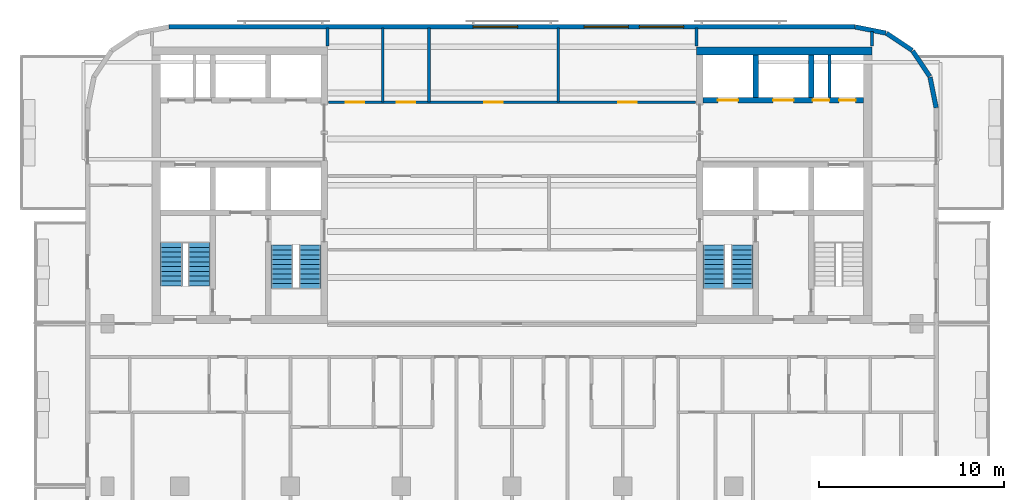
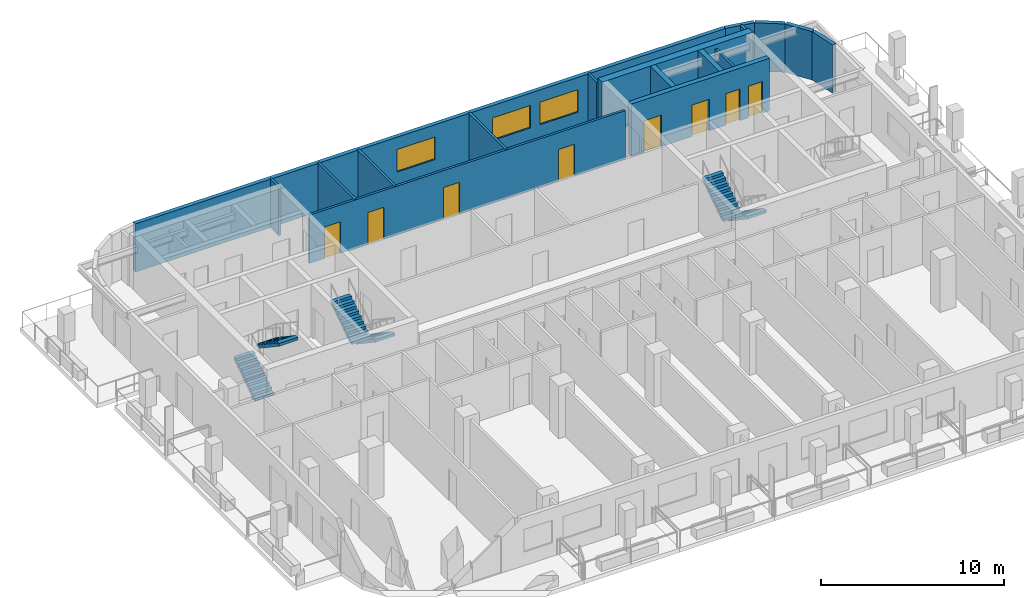
# One storey, part 7 of 11: 17 walls, 8 doors, 6 stair flights, 3 windows, 11 openings, 3 elements without a shape of their own.
"""IFC4 building model written with IfcOpenShell, lengths in metres."""

from ifc_helpers import new_model, si_unit, direction, frame, frame_2d, origin, place, context, subcontext, project, spatial, polyline, rectangle, outline, extrude, material, layer, layer_set, type_object, element, fill, aggregate, save


model = new_model("IFC4")

# Units and contexts
model_context = context("Model", 3, precision=1e-05, world=origin(), true_north=direction((0.0, 1.0)))
body_context = subcontext(model_context, "Body", "Model", "MODEL_VIEW")
ifc_project = project(units=[si_unit("LENGTHUNIT", "METRE"), si_unit("AREAUNIT", "SQUARE_METRE"), si_unit("VOLUMEUNIT", "CUBIC_METRE"), si_unit("PLANEANGLEUNIT", "RADIAN"), si_unit("MASSUNIT", "GRAM", prefix="KILO")], contexts=[model_context])

# Site, building, storey
site_placement = place(None, origin())
site = spatial("IfcSite", under=ifc_project, at=site_placement, CompositionType="ELEMENT")
building_placement = place(site_placement, origin())
building = spatial("IfcBuilding", under=site, at=building_placement, Name="Torana Hotel and Residences", CompositionType="ELEMENT")
storey_placement = place(building_placement, frame((0.0, 0.0, 259.60009765625)))
storey = spatial("IfcBuildingStorey", under=building, at=storey_placement, Name="L68", CompositionType="ELEMENT", Elevation=259.60009765625)

# Wall, openings, doors
ifc_material_1 = material(Name="Concrete C60/75", Category="concrete")
ifc_layer_1 = layer(ifc_material_1, 0.300048828125)
ifc_layer_set_1 = layer_set([ifc_layer_1], Name="CORE WALL 300 C60/75")
wall_type_1 = type_object("IfcWallType", Name="CORE WALL 300 C60/75", PredefinedType="SHEAR", material=ifc_layer_set_1)
wall_1_placement = place(storey_placement, frame((10.35009765625, -2.89990234375, 0.0), z_axis=(0.0, 0.0, 1.0), x_axis=(1.0, 0.0, 0.0)))
wall_1 = element("IfcWall", 1, at=wall_1_placement, inside=storey, type_object=wall_type_1, Name="Core wall E row-N", PredefinedType="SHEAR", context=body_context, shape_type="SweptSolid", body=[
    extrude(rectangle(XDim=8.699951171875, YDim=0.300048828125, at=frame_2d((4.35009765625, 0.0))), origin(), (0.0, 0.0, 1.0), 3.5),
])
opening_1_placement = place(wall_1_placement, frame((0.800048828125, 0.0, 0.0)))
opening_1 = element("IfcOpeningElement", 2, at=opening_1_placement, cuts=wall_1, Name="Opening LD", PredefinedType="OPENING", context=body_context, shape_type="SweptSolid", body=[
    extrude(rectangle(XDim=1.10009765625, YDim=2.10009765625, at=frame_2d((0.550048828125, 1.050048828125))), frame((0.0, 0.159912109375, 0.0), z_axis=(0.0, -1.0, 0.0), x_axis=(1.0, 0.0, 0.0)), (0.0, 0.0, 1.0), 0.320068359375),
])
opening_2_placement = place(wall_1_placement, frame((3.800048828125, 0.0, 0.0)))
opening_2 = element("IfcOpeningElement", 3, at=opening_2_placement, cuts=wall_1, Name="Opening LD", PredefinedType="OPENING", context=body_context, shape_type="SweptSolid", body=[
    extrude(rectangle(XDim=1.10009765625, YDim=2.10009765625, at=frame_2d((0.550048828125, 1.050048828125))), frame((0.0, 0.159912109375, 0.0), z_axis=(0.0, -1.0, 0.0), x_axis=(1.0, 0.0, 0.0)), (0.0, 0.0, 1.0), 0.320068359375),
])
opening_3_placement = place(wall_1_placement, frame((5.9375, 0.0, 0.0)))
opening_3 = element("IfcOpeningElement", 4, at=opening_3_placement, cuts=wall_1, Name="Opening L68-15", PredefinedType="OPENING", context=body_context, shape_type="SweptSolid", body=[
    extrude(rectangle(XDim=0.89990234375, YDim=2.10009765625, at=frame_2d((0.449951171875, 1.050048828125))), frame((0.0, 0.159912109375, 0.0), z_axis=(0.0, -1.0, 0.0), x_axis=(1.0, 0.0, 0.0)), (0.0, 0.0, 1.0), 0.320068359375),
])
opening_4_placement = place(wall_1_placement, frame((7.362548828125, 0.0, 0.0)))
opening_4 = element("IfcOpeningElement", 5, at=opening_4_placement, cuts=wall_1, Name="Opening L68-16", PredefinedType="OPENING", context=body_context, shape_type="SweptSolid", body=[
    extrude(rectangle(XDim=0.89990234375, YDim=2.10009765625, at=frame_2d((0.449951171875, 1.050048828125))), frame((0.0, 0.159912109375, 0.0), z_axis=(0.0, -1.0, 0.0), x_axis=(1.0, 0.0, 0.0)), (0.0, 0.0, 1.0), 0.320068359375),
])
ifc_material_2 = material(Name="Stainless steel 316", Category="steel")
door_type_1 = type_object("IfcDoorType", Name="LIFT LANDING DOOR LD 1100x2100", OperationType="DOUBLE_DOOR_SLIDING", PredefinedType="USERDEFINED", material=ifc_material_2)
door_1_placement = place(opening_1_placement, origin())
door_1 = element("IfcDoor", 6, at=door_1_placement, inside=storey, type_object=door_type_1, Name="Lift landing door H3 L68", ObjectType="LIFT LANDING DOOR", OperationType="DOUBLE_DOOR_SLIDING", OverallHeight=2.10009765625, OverallWidth=1.10009765625, PredefinedType="USERDEFINED", context=body_context, shape_type="SweptSolid", body=[
    extrude(rectangle(XDim=1.10009765625, YDim=2.10009765625, at=frame_2d((0.550048828125, 1.050048828125))), frame((0.0, 0.02490234375, 0.0), z_axis=(0.0, -1.0, 0.0), x_axis=(1.0, 0.0, 0.0)), (0.0, 0.0, 1.0), 0.050048828125),
])
fill(opening_1, door_1)
door_2_placement = place(opening_2_placement, origin())
door_2 = element("IfcDoor", 7, at=door_2_placement, inside=storey, type_object=door_type_1, Name="Lift landing door H4 L68", ObjectType="LIFT LANDING DOOR", OperationType="DOUBLE_DOOR_SLIDING", OverallHeight=2.10009765625, OverallWidth=1.10009765625, PredefinedType="USERDEFINED", context=body_context, shape_type="SweptSolid", body=[
    extrude(rectangle(XDim=1.10009765625, YDim=2.10009765625, at=frame_2d((0.550048828125, 1.050048828125))), frame((0.0, 0.02490234375, 0.0), z_axis=(0.0, -1.0, 0.0), x_axis=(1.0, 0.0, 0.0)), (0.0, 0.0, 1.0), 0.050048828125),
])
fill(opening_2, door_2)
ifc_material_3 = material(Name="Steel S235", Category="steel")
door_type_2 = type_object("IfcDoorType", Name="RISER ACCESS DOOR D5 900x2100", OperationType="SINGLE_SWING_LEFT", PredefinedType="DOOR", material=ifc_material_3)
door_3_placement = place(opening_3_placement, origin())
door_3 = element("IfcDoor", 8, at=door_3_placement, inside=storey, type_object=door_type_2, Name="N2A door L68", OperationType="SINGLE_SWING_RIGHT", OverallHeight=2.10009765625, OverallWidth=0.89990234375, PredefinedType="DOOR", context=body_context, shape_type="SweptSolid", body=[
    extrude(rectangle(XDim=0.89990234375, YDim=2.10009765625, at=frame_2d((0.449951171875, 1.050048828125))), frame((0.0, 0.02490234375, 0.0), z_axis=(0.0, -1.0, 0.0), x_axis=(1.0, 0.0, 0.0)), (0.0, 0.0, 1.0), 0.050048828125),
])
fill(opening_3, door_3)
door_4_placement = place(opening_4_placement, origin())
door_4 = element("IfcDoor", 9, at=door_4_placement, inside=storey, type_object=door_type_2, Name="N2B door L68", OperationType="SINGLE_SWING_RIGHT", OverallHeight=2.10009765625, OverallWidth=0.89990234375, PredefinedType="DOOR", context=body_context, shape_type="SweptSolid", body=[
    extrude(rectangle(XDim=0.89990234375, YDim=2.10009765625, at=frame_2d((0.449951171875, 1.050048828125))), frame((0.0, 0.02490234375, 0.0), z_axis=(0.0, -1.0, 0.0), x_axis=(1.0, 0.0, 0.0)), (0.0, 0.0, 1.0), 0.050048828125),
])
fill(opening_4, door_4)

# Walls
for number, where, z_axis, x_axis, name in (
    (10, (13.199951171875, -2.75, 0.0), (0.0, 0.0, 1.0), (0.0, 1.0, 0.0), "Core wall E x3.05-N"),
    (11, (16.199951171875, -2.75, 0.0), (0.0, 0.0, 1.0), (0.0, 1.0, 0.0), "Core wall E x6.05-N"),
):
    element("IfcWall", number, at=place(storey_placement, frame(where, z_axis=z_axis, x_axis=x_axis)), inside=storey, type_object=wall_type_1, Name=name, PredefinedType="SHEAR", context=body_context, shape_type="SweptSolid", body=[
        extrude(rectangle(XDim=2.300048828125, YDim=0.300048828125, at=frame_2d((1.14990234375, 0.0))), origin(), (0.0, 0.0, 1.0), 3.5),
    ])
ifc_material_4 = material(Name="Concrete C60/75", Category="concrete")
ifc_layer_2 = layer(ifc_material_4, 0.449951171875)
ifc_layer_set_2 = layer_set([ifc_layer_2], Name="CORE WALL 450 C60/75")
wall_type_2 = type_object("IfcWallType", Name="CORE WALL 450 C60/75", PredefinedType="SHEAR", material=ifc_layer_set_2)
wall_2_placement = place(storey_placement, frame((10.0, -0.22509765625, 0.0), z_axis=(0.0, 0.0, 1.0), x_axis=(1.0, 0.0, 0.0)))
element("IfcWall", 12, at=wall_2_placement, inside=storey, type_object=wall_type_2, Name="Core wall E rear", PredefinedType="SHEAR", context=body_context, shape_type="SweptSolid", body=[
    extrude(rectangle(XDim=9.5, YDim=0.449951171875, at=frame_2d((4.75, 0.0))), origin(), (0.0, 0.0, 1.0), 3.5),
])
ifc_material_5 = material(Name="Black aluminium composite panel", Category="aluminium")
ifc_layer_3 = layer(ifc_material_5, 0.00390625, Name="Cladding", Category="cladding")
ifc_material_6 = material(Name="Ventilated air cavity")
ifc_layer_4 = layer(ifc_material_6, 0.0400390625, Name="Ventilated cavity", Category="cavity")
ifc_material_7 = material(Name="Mineral wool insulation")
ifc_layer_5 = layer(ifc_material_7, 0.090087890625, Name="Insulation", Category="insulation")
ifc_material_8 = material(Name="Steel S280GD", Category="steel")
ifc_layer_6 = layer(ifc_material_8, 0.092041015625, Name="Steel stud frame", Category="structure")
ifc_material_9 = material(Name="Fire rated plasterboard")
ifc_layer_7 = layer(ifc_material_9, 0.011962890625, Name="Inner board", Category="finish")
ifc_layer_8 = layer(ifc_material_9, 0.011962890625, Name="Second board", Category="finish")
ifc_layer_set_3 = layer_set([ifc_layer_3, ifc_layer_4, ifc_layer_5, ifc_layer_6, ifc_layer_7, ifc_layer_8], Name="EW1 EXTERNAL WALL BLACK METAL CLAD 250")
wall_type_3 = type_object("IfcWallType", Name="EW1 EXTERNAL WALL BLACK METAL CLAD 250", PredefinedType="SOLIDWALL", material=ifc_layer_set_3)
wall_3_placement = place(storey_placement, frame((22.97265625, -3.30029296875, 0.0), z_axis=(0.0, 0.0, 1.0), x_axis=(-0.19513878023, 0.980775640221, 0.0)))
element("IfcWall", 13, at=wall_3_placement, inside=storey, type_object=wall_type_3, Name="External wall L68 e0.0", PredefinedType="SOLIDWALL", context=body_context, shape_type="SweptSolid", body=[
    extrude(rectangle(XDim=1.681396484375, YDim=0.25, at=frame_2d((0.8408203125, 0.0))), origin(), (0.0, 0.0, 1.0), 3.219970703125),
])
for number, where, z_axis, x_axis, name in (
    (14, (22.6259765625, -1.60595703125, 0.0), (0.0, 0.0, 1.0), (-0.55555029066, 0.831482937015, 0.0), "External wall L68 e0.1"),
    (15, (21.671142578125, -0.1943359375, 0.0), (0.0, 0.0, 1.0), (-0.831482937015, 0.55555029066, 0.0), "External wall L68 e0.2"),
):
    element("IfcWall", number, at=place(storey_placement, frame(where, z_axis=z_axis, x_axis=x_axis)), inside=storey, type_object=wall_type_3, Name=name, PredefinedType="SOLIDWALL", context=body_context, shape_type="SweptSolid", body=[
        extrude(rectangle(XDim=1.65625, YDim=0.25, at=frame_2d((0.828125, 0.0))), origin(), (0.0, 0.0, 1.0), 3.219970703125),
    ])
wall_4_placement = place(storey_placement, frame((20.248779296875, 0.74462890625, 0.0), z_axis=(0.0, 0.0, 1.0), x_axis=(-0.980797896849, 0.195026884138, 0.0)))
element("IfcWall", 16, at=wall_4_placement, inside=storey, type_object=wall_type_3, Name="External wall L68 e0.3", PredefinedType="SOLIDWALL", context=body_context, shape_type="SweptSolid", body=[
    extrude(rectangle(XDim=1.68115234375, YDim=0.25, at=frame_2d((0.840576171875, 0.0))), origin(), (0.0, 0.0, 1.0), 3.219970703125),
])

# Wall, openings, windows
ifc_material_10 = material(Name="Concrete C40/50 precast", Category="concrete")
ifc_layer_9 = layer(ifc_material_10, 0.10009765625, Name="Perforated block", Category="cladding")
ifc_material_11 = material(Name="Air cavity")
ifc_layer_10 = layer(ifc_material_11, 0.030029296875, Name="Cavity", Category="cavity")
ifc_material_12 = material(Name="Concrete C40/50", Category="concrete")
ifc_layer_11 = layer(ifc_material_12, 0.10009765625, Name="Wall", Category="structure")
ifc_material_13 = material(Name="Plaster and paint")
ifc_layer_12 = layer(ifc_material_13, 0.02001953125, Name="Inner finish", Category="finish")
ifc_layer_set_4 = layer_set([ifc_layer_9, ifc_layer_10, ifc_layer_11, ifc_layer_12], Name="EW2 PERFORATED BLOCK SCREEN WALL 250")
wall_type_4 = type_object("IfcWallType", Name="EW2 PERFORATED BLOCK SCREEN WALL 250", PredefinedType="SOLIDWALL", material=ifc_layer_set_4)
wall_5_placement = place(storey_placement, frame((18.575439453125, 1.074951171875, 0.0), z_axis=(0.0, 0.0, 1.0), x_axis=(-1.0, 0.0, 0.0)))
wall_5 = element("IfcWall", 17, at=wall_5_placement, inside=storey, type_object=wall_type_4, Name="External wall L68 e0.4", PredefinedType="SOLIDWALL", context=body_context, shape_type="SweptSolid", body=[
    extrude(rectangle(XDim=37.15087890625, YDim=0.25, at=frame_2d((18.575439453125, 0.0))), origin(), (0.0, 0.0, 1.0), 3.219970703125),
])
opening_5_placement = place(wall_5_placement, frame((9.275390625, 0.0, 0.89990234375)))
opening_5 = element("IfcOpeningElement", 18, at=opening_5_placement, cuts=wall_5, Name="Opening W3", PredefinedType="OPENING", context=body_context, shape_type="SweptSolid", body=[
    extrude(rectangle(XDim=2.39990234375, YDim=1.5, at=frame_2d((1.199951171875, 0.75))), frame((0.0, 0.135009765625, 0.0), z_axis=(0.0, -1.0, 0.0), x_axis=(1.0, 0.0, 0.0)), (0.0, 0.0, 1.0), 0.27001953125),
])
opening_6_placement = place(wall_5_placement, frame((12.275390625, 0.0, 0.89990234375)))
opening_6 = element("IfcOpeningElement", 19, at=opening_6_placement, cuts=wall_5, Name="Opening W3", PredefinedType="OPENING", context=body_context, shape_type="SweptSolid", body=[
    extrude(rectangle(XDim=2.39990234375, YDim=1.5, at=frame_2d((1.199951171875, 0.75))), frame((0.0, 0.135009765625, 0.0), z_axis=(0.0, -1.0, 0.0), x_axis=(1.0, 0.0, 0.0)), (0.0, 0.0, 1.0), 0.27001953125),
])
opening_7_placement = place(wall_5_placement, frame((18.275390625, 0.0, 0.89990234375)))
opening_7 = element("IfcOpeningElement", 20, at=opening_7_placement, cuts=wall_5, Name="Opening W3", PredefinedType="OPENING", context=body_context, shape_type="SweptSolid", body=[
    extrude(rectangle(XDim=2.39990234375, YDim=1.5, at=frame_2d((1.199951171875, 0.75))), frame((0.0, 0.135009765625, 0.0), z_axis=(0.0, -1.0, 0.0), x_axis=(1.0, 0.0, 0.0)), (0.0, 0.0, 1.0), 0.27001953125),
])
ifc_material_14 = material(Name="Dark glass in black aluminium frame", Category="aluminium")
window_type = type_object("IfcWindowType", Name="W3 RESIDENCE WINDOW 2400x1500", PartitioningType="SINGLE_PANEL", PredefinedType="WINDOW", material=ifc_material_14)
window_1_placement = place(opening_5_placement, origin())
window_1 = element("IfcWindow", 21, at=window_1_placement, inside=storey, type_object=window_type, Name="Window L68", OverallHeight=1.5, OverallWidth=2.39990234375, PartitioningType="SINGLE_PANEL", PredefinedType="WINDOW", context=body_context, shape_type="SweptSolid", body=[
    extrude(rectangle(XDim=2.39990234375, YDim=1.5, at=frame_2d((1.199951171875, 0.75))), frame((0.0, 0.030029296875, 0.0), z_axis=(0.0, -1.0, 0.0), x_axis=(1.0, 0.0, 0.0)), (0.0, 0.0, 1.0), 0.06005859375),
])
fill(opening_5, window_1)
window_2_placement = place(opening_6_placement, origin())
window_2 = element("IfcWindow", 22, at=window_2_placement, inside=storey, type_object=window_type, Name="Window L68", OverallHeight=1.5, OverallWidth=2.39990234375, PartitioningType="SINGLE_PANEL", PredefinedType="WINDOW", context=body_context, shape_type="SweptSolid", body=[
    extrude(rectangle(XDim=2.39990234375, YDim=1.5, at=frame_2d((1.199951171875, 0.75))), frame((0.0, 0.030029296875, 0.0), z_axis=(0.0, -1.0, 0.0), x_axis=(1.0, 0.0, 0.0)), (0.0, 0.0, 1.0), 0.06005859375),
])
fill(opening_6, window_2)
window_3_placement = place(opening_7_placement, origin())
window_3 = element("IfcWindow", 23, at=window_3_placement, inside=storey, type_object=window_type, Name="Window L68", OverallHeight=1.5, OverallWidth=2.39990234375, PartitioningType="SINGLE_PANEL", PredefinedType="WINDOW", context=body_context, shape_type="SweptSolid", body=[
    extrude(rectangle(XDim=2.39990234375, YDim=1.5, at=frame_2d((1.199951171875, 0.75))), frame((0.0, 0.030029296875, 0.0), z_axis=(0.0, -1.0, 0.0), x_axis=(1.0, 0.0, 0.0)), (0.0, 0.0, 1.0), 0.06005859375),
])
fill(opening_7, window_3)

# Wall
ifc_material_15 = material(Name="Gypsum plaster")
ifc_layer_13 = layer(ifc_material_15, 0.014892578125, Name="Plaster", Category="finish")
ifc_material_16 = material(Name="Concrete blockwork", Category="masonry")
ifc_layer_14 = layer(ifc_material_16, 0.1201171875, Name="Blockwork", Category="structure")
ifc_layer_15 = layer(ifc_material_15, 0.014892578125, Name="Plaster", Category="finish")
ifc_layer_set_5 = layer_set([ifc_layer_13, ifc_layer_14, ifc_layer_15], Name="FIRE PARTITION 150 BLOCKWORK")
wall_type_5 = type_object("IfcWallType", Name="FIRE PARTITION 150 BLOCKWORK", PredefinedType="PARTITIONING", material=ifc_layer_set_5)
wall_6_placement = place(storey_placement, frame((17.199951171875, -2.75, 0.0), z_axis=(0.0, 0.0, 1.0), x_axis=(0.0, 1.0, 0.0)))
element("IfcWall", 24, at=wall_6_placement, inside=storey, type_object=wall_type_5, Name="Core partition L68", PredefinedType="PARTITIONING", context=body_context, shape_type="SweptSolid", body=[
    extrude(rectangle(XDim=2.300048828125, YDim=0.14990234375, at=frame_2d((1.14990234375, 0.0))), origin(), (0.0, 0.0, 1.0), 3.199951171875),
])

# Wall, openings, doors
wall_7_placement = place(storey_placement, frame((-9.949951171875, -3.0, 0.0), z_axis=(0.0, 0.0, 1.0), x_axis=(1.0, 0.0, 0.0)))
wall_7 = element("IfcWall", 25, at=wall_7_placement, inside=storey, type_object=wall_type_5, Name="Partition L68", PredefinedType="PARTITIONING", context=body_context, shape_type="SweptSolid", body=[
    extrude(rectangle(XDim=19.89990234375, YDim=0.14990234375, at=frame_2d((9.949951171875, 0.0))), origin(), (0.0, 0.0, 1.0), 3.219970703125),
])
opening_8_placement = place(wall_7_placement, frame((0.949951171875, 0.0, 0.0)))
opening_8 = element("IfcOpeningElement", 26, at=opening_8_placement, cuts=wall_7, Name="Opening L68-35", PredefinedType="OPENING", context=body_context, shape_type="SweptSolid", body=[
    extrude(rectangle(XDim=1.0, YDim=2.10009765625, at=frame_2d((0.5, 1.050048828125))), frame((0.0, 0.0849609375, 0.0), z_axis=(0.0, -1.0, 0.0), x_axis=(1.0, 0.0, 0.0)), (0.0, 0.0, 1.0), 0.169921875),
])
opening_9_placement = place(wall_7_placement, frame((3.699951171875, 0.0, 0.0)))
opening_9 = element("IfcOpeningElement", 27, at=opening_9_placement, cuts=wall_7, Name="Opening L68-36", PredefinedType="OPENING", context=body_context, shape_type="SweptSolid", body=[
    extrude(rectangle(XDim=1.0, YDim=2.10009765625, at=frame_2d((0.5, 1.050048828125))), frame((0.0, 0.0849609375, 0.0), z_axis=(0.0, -1.0, 0.0), x_axis=(1.0, 0.0, 0.0)), (0.0, 0.0, 1.0), 0.169921875),
])
opening_10_placement = place(wall_7_placement, frame((8.449951171875, 0.0, 0.0)))
opening_10 = element("IfcOpeningElement", 28, at=opening_10_placement, cuts=wall_7, Name="Opening L68-37", PredefinedType="OPENING", context=body_context, shape_type="SweptSolid", body=[
    extrude(rectangle(XDim=1.0, YDim=2.10009765625, at=frame_2d((0.5, 1.050048828125))), frame((0.0, 0.0849609375, 0.0), z_axis=(0.0, -1.0, 0.0), x_axis=(1.0, 0.0, 0.0)), (0.0, 0.0, 1.0), 0.169921875),
])
opening_11_placement = place(wall_7_placement, frame((15.699951171875, 0.0, 0.0)))
opening_11 = element("IfcOpeningElement", 29, at=opening_11_placement, cuts=wall_7, Name="Opening L68-38", PredefinedType="OPENING", context=body_context, shape_type="SweptSolid", body=[
    extrude(rectangle(XDim=1.0, YDim=2.10009765625, at=frame_2d((0.5, 1.050048828125))), frame((0.0, 0.0849609375, 0.0), z_axis=(0.0, -1.0, 0.0), x_axis=(1.0, 0.0, 0.0)), (0.0, 0.0, 1.0), 0.169921875),
])
ifc_material_17 = material(Name="Steel S235", Category="steel")
door_type_3 = type_object("IfcDoorType", Name="ENTRY FIRE DOOR D6 1000x2100", OperationType="SINGLE_SWING_LEFT", PredefinedType="DOOR", material=ifc_material_17)
door_5_placement = place(opening_8_placement, origin())
door_5 = element("IfcDoor", 30, at=door_5_placement, inside=storey, type_object=door_type_3, Name="Door L68", OperationType="SINGLE_SWING_RIGHT", OverallHeight=2.10009765625, OverallWidth=1.0, PredefinedType="DOOR", context=body_context, shape_type="SweptSolid", body=[
    extrude(rectangle(XDim=1.0, YDim=2.10009765625, at=frame_2d((0.5, 1.050048828125))), frame((0.0, 0.02490234375, 0.0), z_axis=(0.0, -1.0, 0.0), x_axis=(1.0, 0.0, 0.0)), (0.0, 0.0, 1.0), 0.050048828125),
])
fill(opening_8, door_5)
door_6_placement = place(opening_9_placement, origin())
door_6 = element("IfcDoor", 31, at=door_6_placement, inside=storey, type_object=door_type_3, Name="Door L68", OperationType="SINGLE_SWING_RIGHT", OverallHeight=2.10009765625, OverallWidth=1.0, PredefinedType="DOOR", context=body_context, shape_type="SweptSolid", body=[
    extrude(rectangle(XDim=1.0, YDim=2.10009765625, at=frame_2d((0.5, 1.050048828125))), frame((0.0, 0.02490234375, 0.0), z_axis=(0.0, -1.0, 0.0), x_axis=(1.0, 0.0, 0.0)), (0.0, 0.0, 1.0), 0.050048828125),
])
fill(opening_9, door_6)
door_7_placement = place(opening_10_placement, origin())
door_7 = element("IfcDoor", 32, at=door_7_placement, inside=storey, type_object=door_type_3, Name="Door L68", OperationType="SINGLE_SWING_RIGHT", OverallHeight=2.10009765625, OverallWidth=1.0, PredefinedType="DOOR", context=body_context, shape_type="SweptSolid", body=[
    extrude(rectangle(XDim=1.0, YDim=2.10009765625, at=frame_2d((0.5, 1.050048828125))), frame((0.0, 0.02490234375, 0.0), z_axis=(0.0, -1.0, 0.0), x_axis=(1.0, 0.0, 0.0)), (0.0, 0.0, 1.0), 0.050048828125),
])
fill(opening_10, door_7)
door_8_placement = place(opening_11_placement, origin())
door_8 = element("IfcDoor", 33, at=door_8_placement, inside=storey, type_object=door_type_3, Name="Door L68", OperationType="SINGLE_SWING_RIGHT", OverallHeight=2.10009765625, OverallWidth=1.0, PredefinedType="DOOR", context=body_context, shape_type="SweptSolid", body=[
    extrude(rectangle(XDim=1.0, YDim=2.10009765625, at=frame_2d((0.5, 1.050048828125))), frame((0.0, 0.02490234375, 0.0), z_axis=(0.0, -1.0, 0.0), x_axis=(1.0, 0.0, 0.0)), (0.0, 0.0, 1.0), 0.050048828125),
])
fill(opening_11, door_8)

# Walls
ifc_material_18 = material(Name="Gypsum plasterboard")
ifc_layer_16 = layer(ifc_material_18, 0.012451171875, Name="Plasterboard", Category="finish")
ifc_layer_17 = layer(ifc_material_18, 0.012451171875, Name="Plasterboard", Category="finish")
ifc_layer_18 = layer(ifc_material_8, 0.10009765625, Name="Steel studs with mineral wool", Category="insulation")
ifc_layer_19 = layer(ifc_material_18, 0.012451171875, Name="Plasterboard", Category="finish")
ifc_layer_20 = layer(ifc_material_18, 0.012451171875, Name="Plasterboard", Category="finish")
ifc_layer_set_6 = layer_set([ifc_layer_16, ifc_layer_17, ifc_layer_18, ifc_layer_19, ifc_layer_20], Name="PARTITION 150 PLASTERBOARD")
wall_type_6 = type_object("IfcWallType", Name="PARTITION 150 PLASTERBOARD", PredefinedType="PARTITIONING", material=ifc_layer_set_6)
wall_8_placement = place(storey_placement, frame((19.5, 0.050048828125, 0.0), z_axis=(0.0, 0.0, 1.0), x_axis=(0.0, 1.0, 0.0)))
element("IfcWall", 34, at=wall_8_placement, inside=storey, type_object=wall_type_6, Name="Partition L68", PredefinedType="PARTITIONING", context=body_context, shape_type="SweptSolid", body=[
    extrude(rectangle(XDim=0.787353515625, YDim=0.14990234375, at=frame_2d((0.3935546875, 0.0))), origin(), (0.0, 0.0, 1.0), 3.219970703125),
])
wall_9_placement = place(storey_placement, frame((10.0, 0.050048828125, 0.0), z_axis=(0.0, 0.0, 1.0), x_axis=(0.0, 1.0, 0.0)))
element("IfcWall", 35, at=wall_9_placement, inside=storey, type_object=wall_type_6, Name="Partition L68", PredefinedType="PARTITIONING", context=body_context, shape_type="SweptSolid", body=[
    extrude(rectangle(XDim=0.969970703125, YDim=0.14990234375, at=frame_2d((0.48486328125, 0.0))), origin(), (0.0, 0.0, 1.0), 3.219970703125),
])
wall_10_placement = place(storey_placement, frame((2.5, -3.0, 0.0), z_axis=(0.0, 0.0, 1.0), x_axis=(0.0, 1.0, 0.0)))
element("IfcWall", 36, at=wall_10_placement, inside=storey, type_object=wall_type_6, Name="Partition L68", PredefinedType="PARTITIONING", context=body_context, shape_type="SweptSolid", body=[
    extrude(rectangle(XDim=4.02001953125, YDim=0.14990234375, at=frame_2d((2.010009765625, 0.0))), origin(), (0.0, 0.0, 1.0), 3.219970703125),
])
ifc_material_19 = material(Name="Ceramic tile on adhesive")
ifc_layer_21 = layer(ifc_material_19, 0.010009765625, Name="Wall tile", Category="finish")
ifc_material_20 = material(Name="Cement render")
ifc_layer_22 = layer(ifc_material_20, 0.010009765625, Name="Render", Category="finish")
ifc_layer_23 = layer(ifc_material_16, 0.110107421875, Name="Blockwork", Category="structure")
ifc_layer_24 = layer(ifc_material_20, 0.010009765625, Name="Render", Category="finish")
ifc_layer_25 = layer(ifc_material_19, 0.010009765625, Name="Wall tile", Category="finish")
ifc_layer_set_7 = layer_set([ifc_layer_21, ifc_layer_22, ifc_layer_23, ifc_layer_24, ifc_layer_25], Name="WC PARTITION 150")
wall_type_7 = type_object("IfcWallType", Name="WC PARTITION 150", PredefinedType="PLUMBINGWALL", material=ifc_layer_set_7)
for number, where, z_axis, x_axis, name in (
    (37, (-4.5, -3.0, 0.0), (0.0, 0.0, 1.0), (0.0, 1.0, 0.0), "Partition L68"),
    (38, (-7.0, -3.0, 0.0), (0.0, 0.0, 1.0), (0.0, 1.0, 0.0), "Partition L68"),
):
    element("IfcWall", number, at=place(storey_placement, frame(where, z_axis=z_axis, x_axis=x_axis)), inside=storey, type_object=wall_type_7, Name=name, PredefinedType="PLUMBINGWALL", context=body_context, shape_type="SweptSolid", body=[
        extrude(rectangle(XDim=4.02001953125, YDim=0.14990234375, at=frame_2d((2.010009765625, 0.0))), origin(), (0.0, 0.0, 1.0), 3.219970703125),
    ])
wall_11_placement = place(storey_placement, frame((-10.0, 0.050048828125, 0.0), z_axis=(0.0, 0.0, 1.0), x_axis=(0.0, 1.0, 0.0)))
element("IfcWall", 39, at=wall_11_placement, inside=storey, type_object=wall_type_7, Name="Partition L68", PredefinedType="PLUMBINGWALL", context=body_context, shape_type="SweptSolid", body=[
    extrude(rectangle(XDim=0.969970703125, YDim=0.14990234375, at=frame_2d((0.48486328125, 0.0))), origin(), (0.0, 0.0, 1.0), 3.219970703125),
])

# Stair, stair flights
ifc_material_21 = material(Name="Concrete C40/50 precast", Category="concrete")
stair_type_1 = type_object("IfcStairType", Name="STAIR ST1 HALF TURN 1200", PredefinedType="HALF_TURN_STAIR", material=ifc_material_21)
stair_1_placement = place(storey_placement, origin())
stair_1 = element("IfcStair", 40, at=stair_1_placement, inside=storey, type_object=stair_type_1, Name="Stair ST1 L68", PredefinedType="HALF_TURN_STAIR")
ifc_material_22 = material(Name="Concrete C40/50 precast", Category="concrete")
stair_flight_type = type_object("IfcStairFlightType", Name="STAIR FLIGHT 1200 PRECAST", PredefinedType="STRAIGHT", material=ifc_material_22)
stair_flight_1_placement = place(storey_placement, frame((-10.949951171875, -10.75, 0.0), z_axis=(0.0, 0.0, 1.0), x_axis=(0.0, -1.0, 0.0)))
stair_flight_1 = element("IfcStairFlight", 41, at=stair_flight_1_placement, type_object=stair_flight_type, Name="ST1 flight 1", NumberOfRisers=10, NumberOfTreads=9, PredefinedType="STRAIGHT", RiserHeight=0.175, TreadLength=0.26, context=body_context, shape_type="SweptSolid", body=[
    extrude(outline(polyline([(0.0, 0.0), (0.0, 0.175048828125), (0.260009765625, 0.175048828125), (0.260009765625, 0.35009765625), (0.52001953125, 0.35009765625), (0.52001953125, 0.52490234375), (0.780029296875, 0.52490234375), (0.780029296875, 0.699951171875), (1.0400390625, 0.699951171875), (1.0400390625, 0.875), (1.300048828125, 0.875), (1.300048828125, 1.050048828125), (1.56005859375, 1.050048828125), (1.56005859375, 1.22509765625), (1.820068359375, 1.22509765625), (1.820068359375, 1.39990234375), (2.080078125, 1.39990234375), (2.080078125, 1.574951171875), (2.340087890625, 1.574951171875), (2.340087890625, 1.75), (2.340087890625, 1.394287109375), (0.2685546875, 0.0), (0.0, 0.0)])), frame((0.0, 0.60009765625, 0.0), z_axis=(0.0, -1.0, 0.0), x_axis=(1.0, 0.0, 0.0)), (0.0, 0.0, 1.0), 1.199951171875),
])
stair_flight_2_placement = place(storey_placement, frame((-12.449951171875, -13.090087890625, 1.75), z_axis=(0.0, 0.0, 1.0), x_axis=(0.0, 1.0, 0.0)))
stair_flight_2 = element("IfcStairFlight", 42, at=stair_flight_2_placement, type_object=stair_flight_type, Name="ST1 flight 2", NumberOfRisers=10, NumberOfTreads=9, PredefinedType="STRAIGHT", RiserHeight=0.175, TreadLength=0.26, context=body_context, shape_type="SweptSolid", body=[
    extrude(outline(polyline([(0.0, 0.0), (0.0, 0.175048828125), (0.260009765625, 0.175048828125), (0.260009765625, 0.35009765625), (0.52001953125, 0.35009765625), (0.52001953125, 0.52490234375), (0.780029296875, 0.52490234375), (0.780029296875, 0.699951171875), (1.0400390625, 0.699951171875), (1.0400390625, 0.875), (1.300048828125, 0.875), (1.300048828125, 1.050048828125), (1.56005859375, 1.050048828125), (1.56005859375, 1.22509765625), (1.820068359375, 1.22509765625), (1.820068359375, 1.39990234375), (2.080078125, 1.39990234375), (2.080078125, 1.574951171875), (2.340087890625, 1.574951171875), (2.340087890625, 1.75), (2.340087890625, 1.394287109375), (0.2685546875, 0.0), (0.0, 0.0)])), frame((0.0, 0.60009765625, 0.0), z_axis=(0.0, -1.0, 0.0), x_axis=(1.0, 0.0, 0.0)), (0.0, 0.0, 1.0), 1.199951171875),
])
aggregate(stair_1, [stair_flight_1, stair_flight_2])

ifc_material_23 = material(Name="Concrete C40/50 precast", Category="concrete")
stair_type_2 = type_object("IfcStairType", Name="STAIR ST2 HALF TURN 1200", PredefinedType="HALF_TURN_STAIR", material=ifc_material_23)
stair_2_placement = place(storey_placement, origin())
stair_2 = element("IfcStair", 43, at=stair_2_placement, inside=storey, type_object=stair_type_2, Name="Stair ST2 L68", PredefinedType="HALF_TURN_STAIR")
stair_flight_3_placement = place(storey_placement, frame((-18.449951171875, -12.949951171875, 0.0), z_axis=(0.0, 0.0, 1.0), x_axis=(0.0, 1.0, 0.0)))
stair_flight_3 = element("IfcStairFlight", 44, at=stair_flight_3_placement, type_object=stair_flight_type, Name="ST2 flight 1", NumberOfRisers=10, NumberOfTreads=9, PredefinedType="STRAIGHT", RiserHeight=0.175, TreadLength=0.26, context=body_context, shape_type="SweptSolid", body=[
    extrude(outline(polyline([(0.0, 0.0), (0.0, 0.175048828125), (0.260009765625, 0.175048828125), (0.260009765625, 0.35009765625), (0.52001953125, 0.35009765625), (0.52001953125, 0.52490234375), (0.780029296875, 0.52490234375), (0.780029296875, 0.699951171875), (1.0400390625, 0.699951171875), (1.0400390625, 0.875), (1.300048828125, 0.875), (1.300048828125, 1.050048828125), (1.56005859375, 1.050048828125), (1.56005859375, 1.22509765625), (1.820068359375, 1.22509765625), (1.820068359375, 1.39990234375), (2.080078125, 1.39990234375), (2.080078125, 1.574951171875), (2.340087890625, 1.574951171875), (2.340087890625, 1.75), (2.340087890625, 1.394287109375), (0.2685546875, 0.0), (0.0, 0.0)])), frame((0.0, 0.60009765625, 0.0), z_axis=(0.0, -1.0, 0.0), x_axis=(1.0, 0.0, 0.0)), (0.0, 0.0, 1.0), 1.199951171875),
])
stair_flight_4_placement = place(storey_placement, frame((-16.949951171875, -10.610107421875, 1.75), z_axis=(0.0, 0.0, 1.0), x_axis=(0.0, -1.0, 0.0)))
stair_flight_4 = element("IfcStairFlight", 45, at=stair_flight_4_placement, type_object=stair_flight_type, Name="ST2 flight 2", NumberOfRisers=10, NumberOfTreads=9, PredefinedType="STRAIGHT", RiserHeight=0.175, TreadLength=0.26, context=body_context, shape_type="SweptSolid", body=[
    extrude(outline(polyline([(0.0, 0.0), (0.0, 0.175048828125), (0.260009765625, 0.175048828125), (0.260009765625, 0.35009765625), (0.52001953125, 0.35009765625), (0.52001953125, 0.52490234375), (0.780029296875, 0.52490234375), (0.780029296875, 0.699951171875), (1.0400390625, 0.699951171875), (1.0400390625, 0.875), (1.300048828125, 0.875), (1.300048828125, 1.050048828125), (1.56005859375, 1.050048828125), (1.56005859375, 1.22509765625), (1.820068359375, 1.22509765625), (1.820068359375, 1.39990234375), (2.080078125, 1.39990234375), (2.080078125, 1.574951171875), (2.340087890625, 1.574951171875), (2.340087890625, 1.75), (2.340087890625, 1.394287109375), (0.2685546875, 0.0), (0.0, 0.0)])), frame((0.0, 0.60009765625, 0.0), z_axis=(0.0, -1.0, 0.0), x_axis=(1.0, 0.0, 0.0)), (0.0, 0.0, 1.0), 1.199951171875),
])
aggregate(stair_2, [stair_flight_3, stair_flight_4])

ifc_material_24 = material(Name="Concrete C40/50 precast", Category="concrete")
stair_type_3 = type_object("IfcStairType", Name="STAIR ST3 HALF TURN 1200", PredefinedType="HALF_TURN_STAIR", material=ifc_material_24)
stair_3_placement = place(storey_placement, origin())
stair_3 = element("IfcStair", 46, at=stair_3_placement, inside=storey, type_object=stair_type_3, Name="Stair ST3 L68", PredefinedType="HALF_TURN_STAIR")
stair_flight_5_placement = place(storey_placement, frame((12.449951171875, -10.75, 0.0), z_axis=(0.0, 0.0, 1.0), x_axis=(0.0, -1.0, 0.0)))
stair_flight_5 = element("IfcStairFlight", 47, at=stair_flight_5_placement, type_object=stair_flight_type, Name="ST3 flight 1", NumberOfRisers=10, NumberOfTreads=9, PredefinedType="STRAIGHT", RiserHeight=0.175, TreadLength=0.26, context=body_context, shape_type="SweptSolid", body=[
    extrude(outline(polyline([(0.0, 0.0), (0.0, 0.175048828125), (0.260009765625, 0.175048828125), (0.260009765625, 0.35009765625), (0.52001953125, 0.35009765625), (0.52001953125, 0.52490234375), (0.780029296875, 0.52490234375), (0.780029296875, 0.699951171875), (1.0400390625, 0.699951171875), (1.0400390625, 0.875), (1.300048828125, 0.875), (1.300048828125, 1.050048828125), (1.56005859375, 1.050048828125), (1.56005859375, 1.22509765625), (1.820068359375, 1.22509765625), (1.820068359375, 1.39990234375), (2.080078125, 1.39990234375), (2.080078125, 1.574951171875), (2.340087890625, 1.574951171875), (2.340087890625, 1.75), (2.340087890625, 1.394287109375), (0.2685546875, 0.0), (0.0, 0.0)])), frame((0.0, 0.60009765625, 0.0), z_axis=(0.0, -1.0, 0.0), x_axis=(1.0, 0.0, 0.0)), (0.0, 0.0, 1.0), 1.199951171875),
])
stair_flight_6_placement = place(storey_placement, frame((10.949951171875, -13.090087890625, 1.75), z_axis=(0.0, 0.0, 1.0), x_axis=(0.0, 1.0, 0.0)))
stair_flight_6 = element("IfcStairFlight", 48, at=stair_flight_6_placement, type_object=stair_flight_type, Name="ST3 flight 2", NumberOfRisers=10, NumberOfTreads=9, PredefinedType="STRAIGHT", RiserHeight=0.175, TreadLength=0.26, context=body_context, shape_type="SweptSolid", body=[
    extrude(outline(polyline([(0.0, 0.0), (0.0, 0.175048828125), (0.260009765625, 0.175048828125), (0.260009765625, 0.35009765625), (0.52001953125, 0.35009765625), (0.52001953125, 0.52490234375), (0.780029296875, 0.52490234375), (0.780029296875, 0.699951171875), (1.0400390625, 0.699951171875), (1.0400390625, 0.875), (1.300048828125, 0.875), (1.300048828125, 1.050048828125), (1.56005859375, 1.050048828125), (1.56005859375, 1.22509765625), (1.820068359375, 1.22509765625), (1.820068359375, 1.39990234375), (2.080078125, 1.39990234375), (2.080078125, 1.574951171875), (2.340087890625, 1.574951171875), (2.340087890625, 1.75), (2.340087890625, 1.394287109375), (0.2685546875, 0.0), (0.0, 0.0)])), frame((0.0, 0.60009765625, 0.0), z_axis=(0.0, -1.0, 0.0), x_axis=(1.0, 0.0, 0.0)), (0.0, 0.0, 1.0), 1.199951171875),
])
aggregate(stair_3, [stair_flight_5, stair_flight_6])

save(model, "model.ifc")
